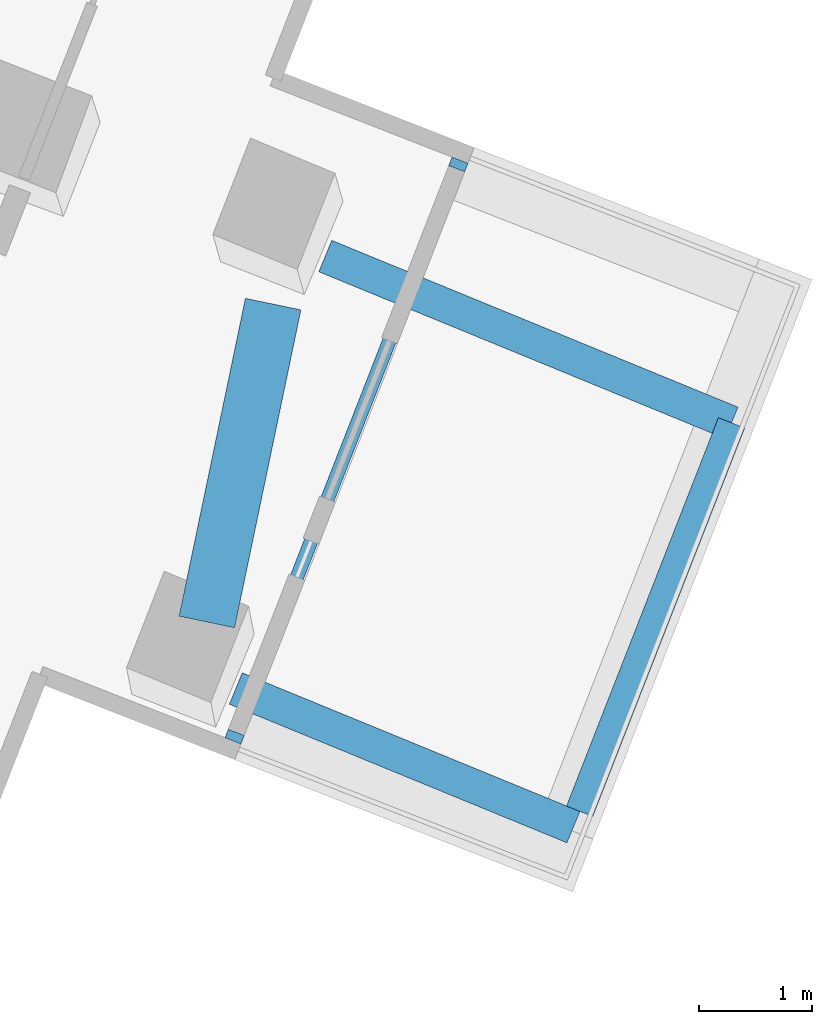
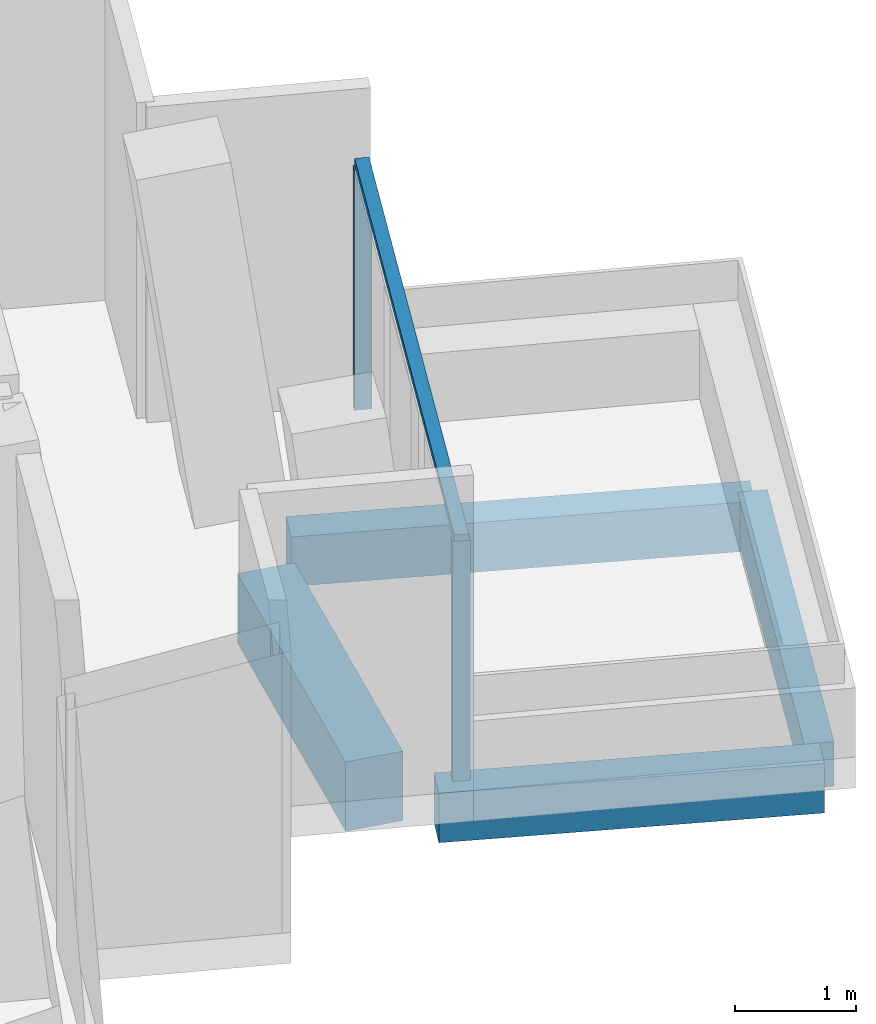
# One storey, part 11 of 28: 4 beams, 3 members, 1 element without a shape of its own.
"""IFC4 building model written with IfcOpenShell, lengths in metres."""

from ifc_helpers import new_model, si_unit, direction, frame, origin, origin_2d, place, context, subcontext, project, spatial, rectangle, extrude, material, layer, layer_set, material_profile, profile_set, type_object, element, aggregate, save


model = new_model("IFC4")

# Units and contexts
model_context = context("Model", 3, precision=1e-05, world=origin(), true_north=direction((0.0, 1.0)))
body_context = subcontext(model_context, "Body", "Model", "MODEL_VIEW")
ifc_project = project(units=[si_unit("LENGTHUNIT", "METRE"), si_unit("AREAUNIT", "SQUARE_METRE"), si_unit("VOLUMEUNIT", "CUBIC_METRE"), si_unit("PLANEANGLEUNIT", "RADIAN"), si_unit("MASSUNIT", "GRAM", prefix="KILO")], contexts=[model_context])

# Site, building, storey
site_placement = place(None, origin())
site = spatial("IfcSite", under=ifc_project, at=site_placement, CompositionType="ELEMENT")
building_placement = place(site_placement, origin())
building = spatial("IfcBuilding", under=site, at=building_placement, Name="Verdalira Terraces Hotel", CompositionType="ELEMENT")
storey_placement = place(building_placement, frame((0.0, 0.0, 68.0)))
storey = spatial("IfcBuildingStorey", under=building, at=storey_placement, Name="L15", CompositionType="ELEMENT", Elevation=68.0)

# Beams
ifc_material_1 = material(Name="Concrete C40", Category="concrete")
ifc_material_profile_1 = material_profile(ifc_material_1, rectangle(XDim=0.300049, YDim=0.5, at=origin_2d()), Name="RC 300X500")
ifc_profile_set_1 = profile_set([ifc_material_profile_1], Name="Concrete C40")
beam_type_1 = type_object("IfcBeamType", Name="Balcony cantilever beam RC 300X500 C40", PredefinedType="BEAM", material=ifc_profile_set_1)
beam_1_placement = place(storey_placement, frame((33.501465, -15.583984, -0.560059), z_axis=(0.925087364, -0.379754352, 0.0), x_axis=(0.379754352, 0.925087364, 0.0)))
element("IfcBeam", 1, at=beam_1_placement, inside=storey, type_object=beam_type_1, Name="Balcony cantilever beam R33-1", PredefinedType="BEAM", context=body_context, shape_type="SweptSolid", body=[
    extrude(rectangle(XDim=0.300049, YDim=0.5, at=origin_2d()), origin(), (0.0, 0.0, 1.0), 3.220215),
])
beam_2_placement = place(storey_placement, frame((34.291016, -11.768555, -0.560059), z_axis=(0.925088605, -0.37975133, 0.0), x_axis=(0.37975133, 0.925088605, 0.0)))
element("IfcBeam", 2, at=beam_2_placement, inside=storey, type_object=beam_type_1, Name="Balcony cantilever beam R33-2", PredefinedType="BEAM", context=body_context, shape_type="SweptSolid", body=[
    extrude(rectangle(XDim=0.300049, YDim=0.5, at=origin_2d()), origin(), (0.0, 0.0, 1.0), 3.874756),
])
ifc_material_2 = material(Name="Concrete C40", Category="concrete")
ifc_material_profile_2 = material_profile(ifc_material_2, rectangle(XDim=0.25, YDim=0.449951, at=origin_2d()), Name="RC 250X450")
ifc_profile_set_2 = profile_set([ifc_material_profile_2], Name="Concrete C40")
beam_type_2 = type_object("IfcBeamType", Name="Balcony edge beam RC 250X450 C40", PredefinedType="BEAM", material=ifc_profile_set_2)
beam_3_placement = place(storey_placement, frame((36.535156, -16.667236, -0.534912), z_axis=(0.364219239, 0.931313237, 0.0), x_axis=(-0.931313237, 0.364219239, 0.0)))
element("IfcBeam", 3, at=beam_3_placement, inside=storey, type_object=beam_type_2, Name="Balcony edge beam R33-1", PredefinedType="BEAM", context=body_context, shape_type="SweptSolid", body=[
    extrude(rectangle(XDim=0.25, YDim=0.449951, at=origin_2d()), origin(), (0.0, 0.0, 1.0), 3.679932),
])

# Curtain wall, members
ifc_material_3 = material(Name="Clear glass", Category="glass")
ifc_layer = layer(ifc_material_3, 0.14990234375)
ifc_layer_set = layer_set([ifc_layer], Name="CW3 curtain wall")
curtain_wall_type = type_object("IfcCurtainWallType", Name="CW3 curtain wall", PredefinedType="NOTDEFINED", material=ifc_layer_set)
curtain_wall_placement = place(storey_placement, origin())
curtain_wall = element("IfcCurtainWall", 4, at=curtain_wall_placement, inside=storey, type_object=curtain_wall_type, Name="CW3 curtain wall L15 edge 33", PredefinedType="NOTDEFINED")
ifc_material_4 = material(Name="Terracotta frame", Category="masonry")
ifc_material_profile_3 = material_profile(ifc_material_4, rectangle(XDim=0.080078, YDim=0.149902, at=origin_2d()), Name="MU 80x150")
ifc_profile_set_3 = profile_set([ifc_material_profile_3], Name="Terracotta frame")
member_type_1 = type_object("IfcMemberType", Name="CW3 mullion 80x150", PredefinedType="MULLION", material=ifc_profile_set_3)
member_1_placement = place(storey_placement, frame((33.491211, -16.008057, 0.0), z_axis=(0.0, 0.0, 1.0), x_axis=(0.364226696, 0.931310321, 0.0)))
member_1 = element("IfcMember", 5, at=member_1_placement, type_object=member_type_1, Name="CW3 mullion", PredefinedType="MULLION", context=body_context, shape_type="SweptSolid", body=[
    extrude(rectangle(XDim=0.080078, YDim=0.149902, at=origin_2d()), origin(), (0.0, 0.0, 1.0), 2.425049),
])
member_2_placement = place(storey_placement, frame((35.465332, -10.960205, 0.0), z_axis=(0.0, 0.0, 1.0), x_axis=(0.364226696, 0.931310321, 0.0)))
member_2 = element("IfcMember", 6, at=member_2_placement, type_object=member_type_1, Name="CW3 mullion", PredefinedType="MULLION", context=body_context, shape_type="SweptSolid", body=[
    extrude(rectangle(XDim=0.080078, YDim=0.149902, at=origin_2d()), origin(), (0.0, 0.0, 1.0), 2.425049),
])
ifc_material_5 = material(Name="Terracotta frame", Category="masonry")
ifc_material_profile_4 = material_profile(ifc_material_5, rectangle(XDim=0.120117, YDim=0.064941, at=origin_2d()), Name="TR 65x120")
ifc_profile_set_4 = profile_set([ifc_material_profile_4], Name="Terracotta frame")
member_type_2 = type_object("IfcMemberType", Name="CW3 transom 65x120", PredefinedType="USERDEFINED", material=ifc_profile_set_4)
member_3_placement = place(storey_placement, frame((33.476562, -16.045166, 2.45752), z_axis=(0.3642236, 0.931311532, 0.0), x_axis=(-0.931311532, 0.3642236, 0.0)))
member_3 = element("IfcMember", 7, at=member_3_placement, type_object=member_type_2, Name="CW3 transom", ObjectType="TRANSOM", PredefinedType="USERDEFINED", context=body_context, shape_type="SweptSolid", body=[
    extrude(rectangle(XDim=0.120117, YDim=0.064941, at=origin_2d()), origin(), (0.0, 0.0, 1.0), 5.499756),
])
aggregate(curtain_wall, [member_1, member_2, member_3])

# Beam
ifc_material_6 = material(Name="Concrete C70", Category="concrete")
ifc_material_profile_5 = material_profile(ifc_material_6, rectangle(XDim=0.5, YDim=0.699951, at=origin_2d()), Name="RC 500X700")
ifc_profile_set_5 = profile_set([ifc_material_profile_5], Name="Concrete C70")
beam_type_3 = type_object("IfcBeamType", Name="Spandrel beam RC 500X700 C70", PredefinedType="SPANDREL", material=ifc_profile_set_5)
beam_4_placement = place(storey_placement, frame((33.24585, -14.99707, -0.659912), z_axis=(0.204335348, 0.978900948, 0.0), x_axis=(-0.978900948, 0.204335348, 0.0)))
element("IfcBeam", 8, at=beam_4_placement, inside=storey, type_object=beam_type_3, Name="Spandrel beam B27", PredefinedType="SPANDREL", context=body_context, shape_type="SweptSolid", body=[
    extrude(rectangle(XDim=0.5, YDim=0.699951, at=origin_2d()), origin(), (0.0, 0.0, 1.0), 2.865234),
])

save(model, "model.ifc")
